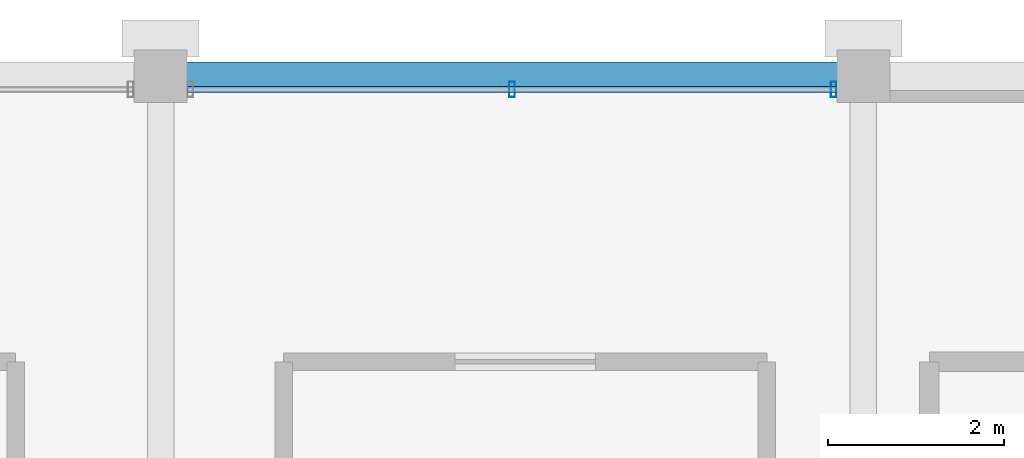
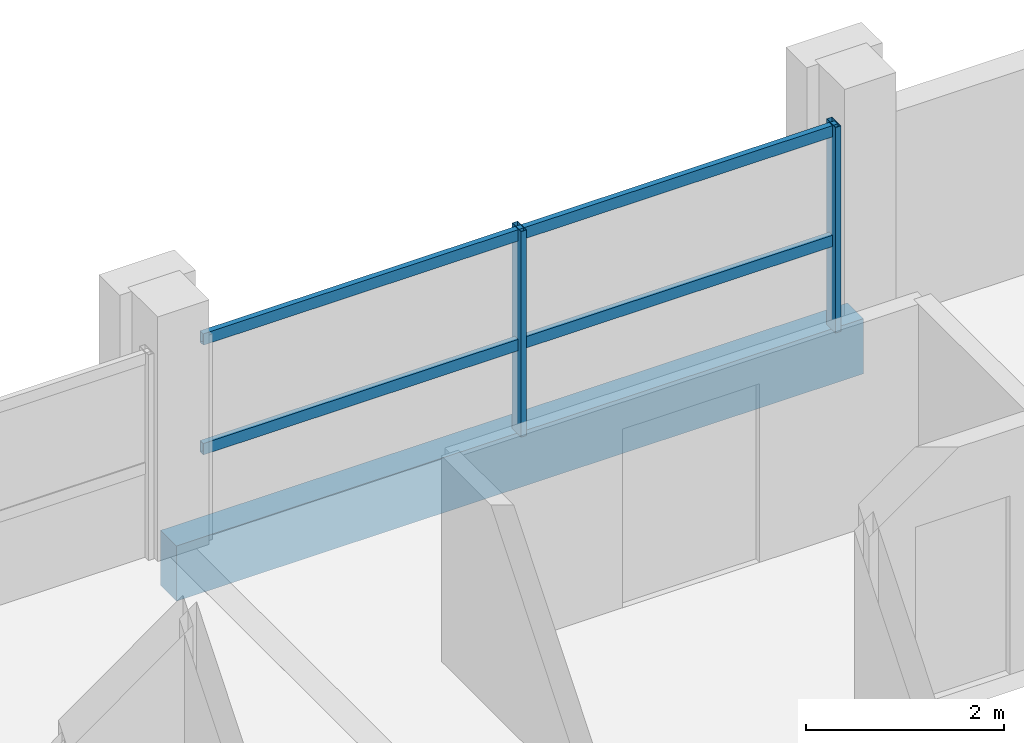
# One storey, part 18 of 24: 4 members, 1 beam, 1 element without a shape of its own.
"""IFC4 building model written with IfcOpenShell, lengths in metres."""

import ifcopenshell
import ifcopenshell.guid

model = None  # the IFC model being written
_history = None  # IfcOwnerHistory: only IFC2X3 demands one
_inside = {}  # id of a spatial element -> (the spatial element, [elements in it])
_under = {}  # id of a project, library or spatial element -> (it, [spatial elements below it])
_declared = {}  # id of a project -> (the project, [libraries it declares])
_typed = {}  # id of a type object -> (the type object, [elements of that type])
_made_of = {}  # id of a material, layer set ... -> (it, [elements and type objects made of it])


def new_model(schema):
    """Start an empty IFC model of exactly this schema.

    Asked for "IFC4X3", IfcOpenShell would pick the latest addendum, in which some entities
    have other attributes; the version numbers below select the first issue.
    IFC2X3 requires an IfcOwnerHistory on every rooted entity: one is made here for all.
    """
    global model, _history
    if schema == "IFC4X3":
        model = ifcopenshell.file(schema_version=(4, 3, 0, 0))
    else:
        model = ifcopenshell.file(schema=schema)
    _inside.clear()
    _under.clear()
    _declared.clear()
    _typed.clear()
    _made_of.clear()
    _history = None
    if model.schema == "IFC2X3":
        org = make("IfcOrganization", Name="unknown")
        user = make(
            "IfcPersonAndOrganization",
            ThePerson=make("IfcPerson", FamilyName="unknown"),
            TheOrganization=org,
        )
        app = make(
            "IfcApplication",
            ApplicationDeveloper=org,
            Version="unknown",
            ApplicationFullName="unknown",
            ApplicationIdentifier="unknown",
        )
        _history = make(
            "IfcOwnerHistory",
            OwningUser=user,
            OwningApplication=app,
            ChangeAction="ADDED",
            CreationDate=0,
        )
    return model


def make(cls, **values):
    """One entity of the class cls with the attributes given. An attribute that is None is left unset."""
    return model.create_entity(
        cls, **{name: value for name, value in values.items() if value is not None}
    )


def rooted(cls, **values):
    """An entity with a GlobalId (a new one), such as an element, a storey or a relation."""
    return make(cls, GlobalId=ifcopenshell.guid.new(), OwnerHistory=_history, **values)


def si_unit(unit_type, name, prefix=None):
    """IfcSIUnit, for example si_unit("LENGTHUNIT", "METRE", prefix="MILLI")."""
    return make("IfcSIUnit", UnitType=unit_type, Prefix=prefix, Name=name)


def assignment(units):
    """IfcUnitAssignment: the units of a project."""
    return None if units is None else make("IfcUnitAssignment", Units=units)


def point(xyz):
    """IfcCartesianPoint."""
    return None if xyz is None else make("IfcCartesianPoint", Coordinates=xyz)


def direction(xyz):
    """IfcDirection."""
    return None if xyz is None else make("IfcDirection", DirectionRatios=xyz)


def frame(location, z_axis=None, x_axis=None):
    """IfcAxis2Placement3D, a coordinate frame: its origin and axes. An axis left out is left unset."""
    return make(
        "IfcAxis2Placement3D",
        Location=point(location),
        Axis=direction(z_axis),
        RefDirection=direction(x_axis),
    )


def frame_2d(location, x_axis=None):
    """IfcAxis2Placement2D, a coordinate frame in the plane: its origin and x axis."""
    return make(
        "IfcAxis2Placement2D", Location=point(location), RefDirection=direction(x_axis)
    )


def origin():
    """The frame at (0, 0, 0) with its axes left unset."""
    return frame((0.0, 0.0, 0.0))


def origin_2d():
    """The frame at (0, 0) in the plane with its x axis left unset."""
    return frame_2d((0.0, 0.0))


def place(relative_to, where):
    """IfcLocalPlacement: puts the frame where relative to a parent placement (None: the world)."""
    return make(
        "IfcLocalPlacement", PlacementRelTo=relative_to, RelativePlacement=where
    )


def context(
    kind, dimensions, precision=None, world=None, true_north=None, identifier=None
):
    """IfcGeometricRepresentationContext, for example the 3D "Model" context."""
    return make(
        "IfcGeometricRepresentationContext",
        ContextIdentifier=identifier,
        ContextType=kind,
        CoordinateSpaceDimension=dimensions,
        Precision=precision,
        WorldCoordinateSystem=world,
        TrueNorth=true_north,
    )


def subcontext(parent, identifier, kind, view, scale=None):
    """IfcGeometricRepresentationSubContext, for example "Body" below "Model"."""
    return make(
        "IfcGeometricRepresentationSubContext",
        ContextIdentifier=identifier,
        ContextType=kind,
        ParentContext=parent,
        TargetScale=scale,
        TargetView=view,
    )


def project(units=None, contexts=None):
    """IfcProject with its units and contexts."""
    return rooted(
        "IfcProject",
        Name="project",
        RepresentationContexts=contexts,
        UnitsInContext=assignment(units),
    )


def spatial(cls, under=None, at=None, **own):
    """A site, building, storey or space (cls), placed at a placement, below another one or the project."""
    s = rooted(cls, ObjectPlacement=at, **own)
    if under is not None:
        _under.setdefault(under.id(), (under, []))[1].append(s)
    return s


def profile(cls, at=None, kind="AREA", **sizes):
    """A parametric profile (cls). Its sizes go by their IFC names, for example OverallWidth=200.0."""
    return make(cls, ProfileType=kind, Position=at, **sizes)


def rectangle(**sizes):
    """IfcRectangleProfileDef."""
    return profile("IfcRectangleProfileDef", **sizes)


def hollow_rectangle(**sizes):
    """IfcRectangleHollowProfileDef."""
    return profile("IfcRectangleHollowProfileDef", **sizes)


def extrude(swept, where, along, depth):
    """IfcExtrudedAreaSolid: the profile swept, set in the frame where, extruded along a direction by depth."""
    return make(
        "IfcExtrudedAreaSolid",
        SweptArea=swept,
        Position=where,
        ExtrudedDirection=direction(along),
        Depth=depth,
    )


def shape(context_of_items, identifier, shape_type, items):
    """IfcShapeRepresentation: the items that make up one representation, for example the "Body"."""
    return make(
        "IfcShapeRepresentation",
        ContextOfItems=context_of_items,
        RepresentationIdentifier=identifier,
        RepresentationType=shape_type,
        Items=items,
    )


def material(Name=None, Category=None):
    """IfcMaterial."""
    return make("IfcMaterial", Name=Name, Category=Category)


def material_profile(
    of_material, cross_section, Name=None, Category=None, Priority=None
):
    """IfcMaterialProfile: a cross section and its material."""
    return make(
        "IfcMaterialProfile",
        Name=Name,
        Material=of_material,
        Profile=cross_section,
        Priority=Priority,
        Category=Category,
    )


def profile_set(profiles, Name=None, composite=None):
    """IfcMaterialProfileSet."""
    return make(
        "IfcMaterialProfileSet",
        Name=Name,
        MaterialProfiles=profiles,
        CompositeProfile=composite,
    )


def made_of(thing, what):
    """Note that an element or type object is made of a material, layer set ...; save() writes the relation."""
    if what is not None:
        _made_of.setdefault(what.id(), (what, []))[1].append(thing)
    return thing


def type_object(cls, material=None, **own):
    """A type object (cls), such as IfcWallType, which elements share."""
    return made_of(rooted(cls, **own), material)


def element(
    cls,
    number,
    at=None,
    inside=None,
    cuts=None,
    type_object=None,
    material=None,
    context=None,
    identifier="Body",
    shape_type=None,
    held_by="IfcProductDefinitionShape",
    body=None,
    shapes=None,
    **own,
):
    """One element of the class cls, such as IfcWall. Its Tag is "e" and its number.

    at: its placement. inside: the storey or other place that contains it. cuts: it is an
    opening in that element (IfcRelVoidsElement). A single representation is given by context,
    identifier, shape_type and body (its items); several are given by shapes. held_by: the class
    of the entity that holds the representations. save() writes the other relations.
    """
    e = rooted(cls, Tag="e%d" % number, ObjectPlacement=at, **own)
    if body is not None:
        shapes = [shape(context, identifier, shape_type, body)]
    if shapes is not None:
        e.Representation = make(held_by, Representations=shapes)
    if inside is not None:
        _inside.setdefault(inside.id(), (inside, []))[1].append(e)
    if cuts is not None:
        rooted(
            "IfcRelVoidsElement", RelatingBuildingElement=cuts, RelatedOpeningElement=e
        )
    if type_object is not None:
        _typed.setdefault(type_object.id(), (type_object, []))[1].append(e)
    return made_of(e, material)


def aggregate(whole, parts):
    """IfcRelAggregates: a whole, such as a stair, and the parts it consists of."""
    return rooted("IfcRelAggregates", RelatingObject=whole, RelatedObjects=parts)


def save(model, path):
    """Write the relations noted so far, then the file.

    IfcRelAggregates (storeys below a building ...), IfcRelContainedInSpatialStructure (elements
    in a storey), IfcRelDefinesByType, IfcRelAssociatesMaterial and IfcRelDeclares: one each for
    every whole, place, type object, material and project.
    """
    for whole, parts in _under.values():
        aggregate(whole, parts)
    for where, things in _inside.values():
        rooted(
            "IfcRelContainedInSpatialStructure",
            RelatedElements=things,
            RelatingStructure=where,
        )
    for kind, things in _typed.values():
        rooted("IfcRelDefinesByType", RelatedObjects=things, RelatingType=kind)
    for what, things in _made_of.values():
        rooted("IfcRelAssociatesMaterial", RelatedObjects=things, RelatingMaterial=what)
    for by, libraries in _declared.values():
        rooted("IfcRelDeclares", RelatingContext=by, RelatedDefinitions=libraries)
    model.write(path)


model = new_model("IFC4")

# Units and contexts
model_context = context("Model", 3, precision=1e-05, world=origin(), true_north=direction((0.0, 1.0)))
body_context = subcontext(model_context, "Body", "Model", "MODEL_VIEW")
ifc_project = project(units=[si_unit("LENGTHUNIT", "METRE"), si_unit("AREAUNIT", "SQUARE_METRE"), si_unit("VOLUMEUNIT", "CUBIC_METRE"), si_unit("PLANEANGLEUNIT", "RADIAN"), si_unit("MASSUNIT", "GRAM", prefix="KILO")], contexts=[model_context])

# Site, building, storey
site_placement = place(None, origin())
site = spatial("IfcSite", under=ifc_project, at=site_placement, CompositionType="ELEMENT")
building_placement = place(site_placement, origin())
building = spatial("IfcBuilding", under=site, at=building_placement, Name="Akrevak Sports Hall", CompositionType="ELEMENT")
storey_placement = place(building_placement, frame((0.0, 0.0, 63.300048828125)))
storey = spatial("IfcBuildingStorey", under=building, at=storey_placement, Name="L16", CompositionType="ELEMENT", Elevation=63.300048828125)

# Curtain wall, members
ifc_material_1 = material(Name="Anodized Bronze Aluminium & Low-E Glass", Category="aluminium")
curtain_wall_type = type_object("IfcCurtainWallType", Name="ARC-CW-TWR-72x30", PredefinedType="NOTDEFINED", material=ifc_material_1)
curtain_wall_placement = place(storey_placement, origin())
curtain_wall = element("IfcCurtainWall", 1, at=curtain_wall_placement, inside=storey, type_object=curtain_wall_type, Name="Curtain Wall CW-L16-N19", PredefinedType="NOTDEFINED")
ifc_material_2 = material(Name="Anodized Bronze Aluminium", Category="aluminium")
ifc_material_profile_1 = material_profile(ifc_material_2, hollow_rectangle(XDim=0.06494140625, YDim=0.179931640625, WallThickness=0.00390625, at=origin_2d()), Name="CWM 65x180", Category="aluminium")
ifc_profile_set_1 = profile_set([ifc_material_profile_1], Name="Anodized Bronze Aluminium")
member_type_1 = type_object("IfcMemberType", Name="ARC-CWM-65x140", PredefinedType="MULLION", material=ifc_profile_set_1)
member_1_placement = place(storey_placement, frame((91.659912109375, 69.449951171875, 0.0), z_axis=(0.0, 0.0, 1.0), x_axis=(-1.0, 0.0, 0.0)))
member_1 = element("IfcMember", 2, at=member_1_placement, type_object=member_type_1, Name="Curtain Wall Mullion CW-L16-N19-M1", PredefinedType="MULLION", context=body_context, shape_type="SweptSolid", body=[
    extrude(hollow_rectangle(XDim=0.06494140625, YDim=0.179931640625, WallThickness=0.00390625, at=origin_2d()), origin(), (0.0, 0.0, 1.0), 2.530029296875),
])
member_2_placement = place(storey_placement, frame((88.0, 69.449951171875, 0.0), z_axis=(0.0, 0.0, 1.0), x_axis=(-1.0, 0.0, 0.0)))
member_2 = element("IfcMember", 3, at=member_2_placement, type_object=member_type_1, Name="Curtain Wall Mullion CW-L16-N19-M2", PredefinedType="MULLION", context=body_context, shape_type="SweptSolid", body=[
    extrude(hollow_rectangle(XDim=0.06494140625, YDim=0.179931640625, WallThickness=0.00390625, at=origin_2d()), origin(), (0.0, 0.0, 1.0), 2.530029296875),
])
ifc_material_profile_2 = material_profile(ifc_material_2, hollow_rectangle(XDim=0.06494140625, YDim=0.139892578125, WallThickness=0.00390625, at=origin_2d()), Name="CWT 65x140", Category="aluminium")
ifc_profile_set_2 = profile_set([ifc_material_profile_2], Name="Anodized Bronze Aluminium")
member_type_2 = type_object("IfcMemberType", Name="ARC-CWT-65x110", PredefinedType="USERDEFINED", material=ifc_profile_set_2)
member_3_placement = place(storey_placement, frame((91.699951171875, 69.449951171875, 1.099853515625), z_axis=(-1.0, 0.0, 0.0), x_axis=(0.0, -1.0, 0.0)))
member_3 = element("IfcMember", 4, at=member_3_placement, type_object=member_type_2, Name="Curtain Wall Transom CW-L16-N19-T1", ObjectType="TRANSOM", PredefinedType="USERDEFINED", context=body_context, shape_type="SweptSolid", body=[
    extrude(hollow_rectangle(XDim=0.06494140625, YDim=0.139892578125, WallThickness=0.00390625, at=origin_2d()), origin(), (0.0, 0.0, 1.0), 7.39990234375),
])
member_4_placement = place(storey_placement, frame((91.699951171875, 69.449951171875, 2.449951171875), z_axis=(-1.0, 0.0, 0.0), x_axis=(0.0, -1.0, 0.0)))
member_4 = element("IfcMember", 5, at=member_4_placement, type_object=member_type_2, Name="Curtain Wall Transom CW-L16-N19-T2", ObjectType="TRANSOM", PredefinedType="USERDEFINED", context=body_context, shape_type="SweptSolid", body=[
    extrude(hollow_rectangle(XDim=0.06494140625, YDim=0.139892578125, WallThickness=0.00390625, at=origin_2d()), origin(), (0.0, 0.0, 1.0), 7.39990234375),
])
aggregate(curtain_wall, [member_1, member_2, member_3, member_4])

# Beam
ifc_material_3 = material(Name="Concrete C40/50", Category="concrete")
ifc_material_profile_3 = material_profile(ifc_material_3, rectangle(XDim=0.320068359375, YDim=0.679931640625, at=origin_2d()), Name="SPD 320x680", Category="concrete")
ifc_profile_set_3 = profile_set([ifc_material_profile_3], Name="Concrete C40/50")
beam_type = type_object("IfcBeamType", Name="STR-SPD-RC320x680", PredefinedType="SPANDREL", material=ifc_profile_set_3)
beam_placement = place(storey_placement, frame((84.0, 69.60009765625, -0.340087890625), z_axis=(1.0, 0.0, 0.0), x_axis=(0.0, 1.0, 0.0)))
element("IfcBeam", 6, at=beam_placement, inside=storey, type_object=beam_type, Name="Girder K/12-13 (L16)", PredefinedType="SPANDREL", context=body_context, shape_type="SweptSolid", body=[
    extrude(rectangle(XDim=0.320068359375, YDim=0.679931640625, at=origin_2d()), origin(), (0.0, 0.0, 1.0), 8.0),
])

save(model, "model.ifc")
